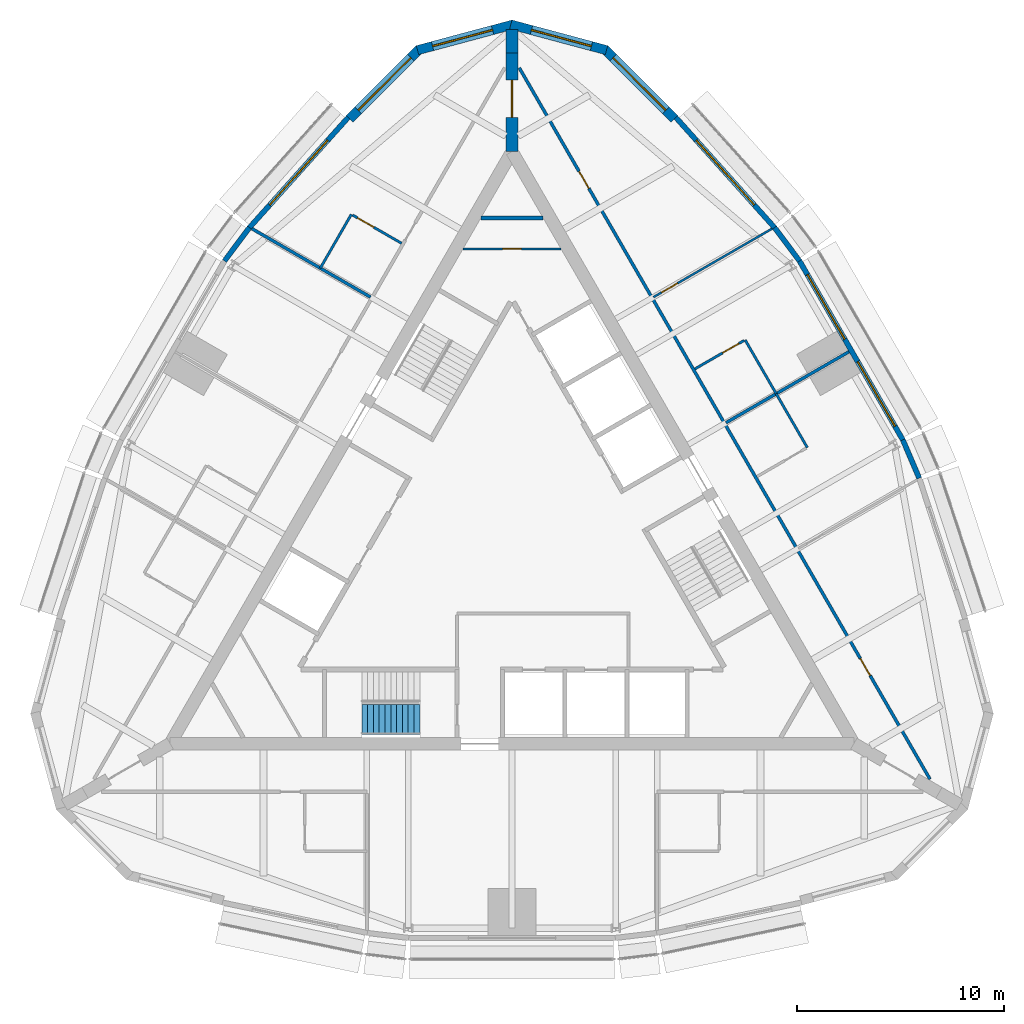
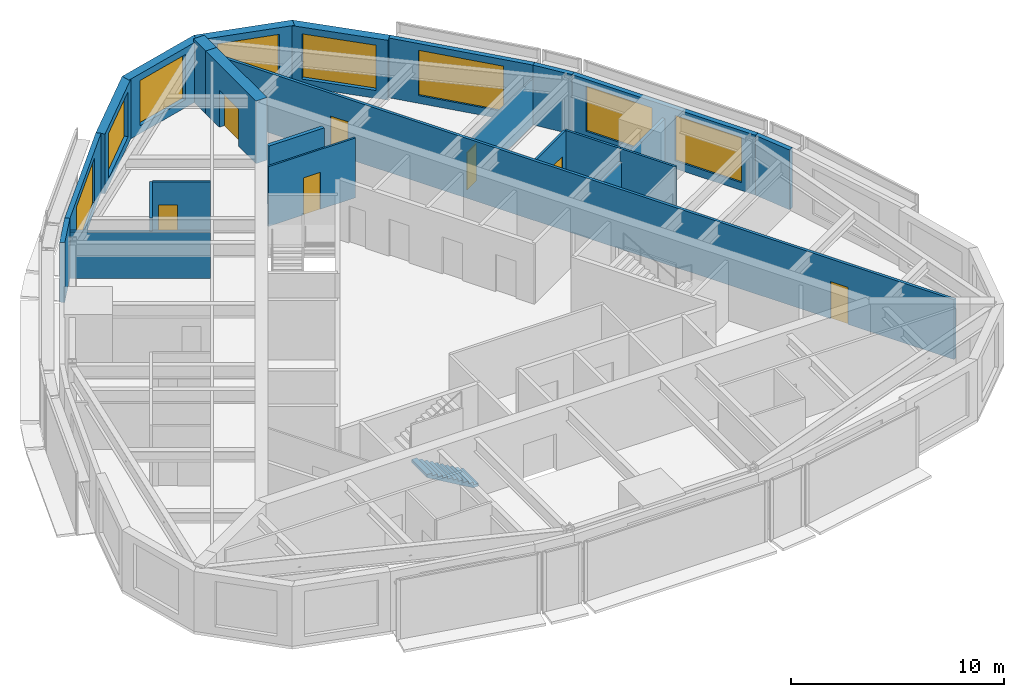
# One storey, part 10 of 12: 23 walls, 8 windows, 7 doors, 1 stair flight, 15 openings, 1 element without a shape of its own.
"""IFC4 building model written with IfcOpenShell, lengths in metres."""

from ifc_helpers import new_model, si_unit, direction, frame, frame_2d, origin, place, context, subcontext, project, spatial, polyline, rectangle, outline, extrude, material, layer, layer_set, type_object, element, fill, aggregate, save


model = new_model("IFC4")

# Units and contexts
model_context = context("Model", 3, precision=1e-05, world=origin(), true_north=direction((0.0, 1.0)))
body_context = subcontext(model_context, "Body", "Model", "MODEL_VIEW")
ifc_project = project(units=[si_unit("LENGTHUNIT", "METRE"), si_unit("AREAUNIT", "SQUARE_METRE"), si_unit("VOLUMEUNIT", "CUBIC_METRE"), si_unit("PLANEANGLEUNIT", "RADIAN"), si_unit("MASSUNIT", "GRAM", prefix="KILO")], contexts=[model_context])

# Site, building, storey
site_placement = place(None, origin())
site = spatial("IfcSite", under=ifc_project, at=site_placement, CompositionType="ELEMENT")
building_placement = place(site_placement, origin())
building = spatial("IfcBuilding", under=site, at=building_placement, Name="Trikona Tower", CompositionType="ELEMENT")
storey_placement = place(building_placement, frame((0.0, 0.0, 253.699951171875)))
storey = spatial("IfcBuildingStorey", under=building, at=storey_placement, Name="L67", CompositionType="ELEMENT", Elevation=253.699951171875)

# Walls
ifc_material_1 = material(Name="Metal stud and cement board", Category="gypsum")
ifc_layer_1 = layer(ifc_material_1, 0.1201171875)
ifc_layer_set_1 = layer_set([ifc_layer_1], Name="Bathroom wall 120")
wall_type_1 = type_object("IfcWallType", Name="Bathroom wall 120", PredefinedType="PLUMBINGWALL", material=ifc_layer_set_1)
wall_1_placement = place(storey_placement, frame((14.25341796875, 4.76513671875, 0.0), z_axis=(0.0, 0.0, 1.0), x_axis=(-0.50002537861, 0.866010750942, 0.0)))
element("IfcWall", 1, at=wall_1_placement, inside=storey, type_object=wall_type_1, Name="Bathroom wall 6703.1", PredefinedType="PLUMBINGWALL", context=body_context, shape_type="SweptSolid", body=[
    extrude(rectangle(XDim=2.999755859375, YDim=0.1201171875, at=frame_2d((1.5, 0.0))), origin(), (0.0, 0.0, 1.0), 3.43505859375),
])
wall_2_placement = place(storey_placement, frame((12.75341796875, 7.363037109375, 0.0), z_axis=(0.0, 0.0, 1.0), x_axis=(-0.499990139034, 0.866031096941, 0.0)))
element("IfcWall", 2, at=wall_2_placement, inside=storey, type_object=wall_type_1, Name="Bathroom wall 6704.1", PredefinedType="PLUMBINGWALL", context=body_context, shape_type="SweptSolid", body=[
    extrude(rectangle(XDim=3.0, YDim=0.1201171875, at=frame_2d((1.5, 0.0))), origin(), (0.0, 0.0, 1.0), 3.43505859375),
])

# Wall, opening, door
wall_3_placement = place(storey_placement, frame((8.82861328125, 8.561279296875, 0.0), z_axis=(0.0, 0.0, 1.0), x_axis=(0.866035715982, 0.499982138324, 0.0)))
wall_3 = element("IfcWall", 3, at=wall_3_placement, inside=storey, type_object=wall_type_1, Name="Bathroom wall 6704.1", PredefinedType="PLUMBINGWALL", context=body_context, shape_type="SweptSolid", body=[
    extrude(rectangle(XDim=2.73974609375, YDim=0.1201171875, at=frame_2d((1.369873046875, 0.0))), origin(), (0.0, 0.0, 1.0), 3.43505859375),
])
opening_1_placement = place(wall_3_placement, frame((1.550048828125, 0.0, 0.0)))
opening_1 = element("IfcOpeningElement", 4, at=opening_1_placement, cuts=wall_3, Name="Opening D2", PredefinedType="OPENING", context=body_context, shape_type="SweptSolid", body=[
    extrude(rectangle(XDim=0.89990234375, YDim=2.1298828125, at=frame_2d((0.449951171875, 1.06494140625))), frame((0.0, 0.070068359375, 0.0), z_axis=(0.0, -1.0, 0.0), x_axis=(1.0, 0.0, 0.0)), (0.0, 0.0, 1.0), 0.14013671875),
])
ifc_material_2 = material(Name="Steel door frame with solid-core timber leaf", Category="steel")
door_type_1 = type_object("IfcDoorType", Name="Bathroom door 900x2130", OperationType="SLIDING_TO_LEFT", PredefinedType="DOOR", material=ifc_material_2)
door_1_placement = place(opening_1_placement, origin())
door_1 = element("IfcDoor", 5, at=door_1_placement, inside=storey, type_object=door_type_1, Name="Bathroom door 6704.1", OperationType="SLIDING_TO_LEFT", OverallHeight=2.1298828125, OverallWidth=0.89990234375, PredefinedType="DOOR", context=body_context, shape_type="SweptSolid", body=[
    extrude(rectangle(XDim=0.89990234375, YDim=2.1298828125, at=frame_2d((0.449951171875, 1.06494140625))), frame((0.0, 0.02490234375, 0.0), z_axis=(0.0, -1.0, 0.0), x_axis=(1.0, 0.0, 0.0)), (0.0, 0.0, 1.0), 0.050048828125),
])
fill(opening_1, door_1)

# Wall
wall_4_placement = place(storey_placement, frame((-7.75341796875, 16.0234375, 0.0), z_axis=(0.0, 0.0, 1.0), x_axis=(-0.499990139034, -0.866031096941, 0.0)))
element("IfcWall", 6, at=wall_4_placement, inside=storey, type_object=wall_type_1, Name="Bathroom wall 6705", PredefinedType="PLUMBINGWALL", context=body_context, shape_type="SweptSolid", body=[
    extrude(rectangle(XDim=3.0, YDim=0.1201171875, at=frame_2d((1.5, 0.0))), origin(), (0.0, 0.0, 1.0), 3.43505859375),
])

# Wall, opening, door
wall_5_placement = place(storey_placement, frame((-5.32861328125, 14.623291015625, 0.0), z_axis=(0.0, 0.0, 1.0), x_axis=(-0.865997131366, 0.500048966069, 0.0)))
wall_5 = element("IfcWall", 7, at=wall_5_placement, inside=storey, type_object=wall_type_1, Name="Bathroom wall 6705", PredefinedType="PLUMBINGWALL", context=body_context, shape_type="SweptSolid", body=[
    extrude(rectangle(XDim=2.739990234375, YDim=0.1201171875, at=frame_2d((1.3701171875, 0.0))), origin(), (0.0, 0.0, 1.0), 3.43505859375),
])
opening_2_placement = place(wall_5_placement, frame((1.550048828125, 0.0, 0.0)))
opening_2 = element("IfcOpeningElement", 8, at=opening_2_placement, cuts=wall_5, Name="Opening D2", PredefinedType="OPENING", context=body_context, shape_type="SweptSolid", body=[
    extrude(rectangle(XDim=0.89990234375, YDim=2.1298828125, at=frame_2d((0.449951171875, 1.06494140625))), frame((0.0, 0.070068359375, 0.0), z_axis=(0.0, -1.0, 0.0), x_axis=(1.0, 0.0, 0.0)), (0.0, 0.0, 1.0), 0.14013671875),
])
door_2_placement = place(opening_2_placement, origin())
door_2 = element("IfcDoor", 9, at=door_2_placement, inside=storey, type_object=door_type_1, Name="Bathroom door 6705", OperationType="SLIDING_TO_LEFT", OverallHeight=2.1298828125, OverallWidth=0.89990234375, PredefinedType="DOOR", context=body_context, shape_type="SweptSolid", body=[
    extrude(rectangle(XDim=0.89990234375, YDim=2.1298828125, at=frame_2d((0.449951171875, 1.06494140625))), frame((0.0, 0.02490234375, 0.0), z_axis=(0.0, -1.0, 0.0), x_axis=(1.0, 0.0, 0.0)), (0.0, 0.0, 1.0), 0.050048828125),
])
fill(opening_2, door_2)

# Wall, opening, window
ifc_material_3 = material(Name="Brick-faced precast concrete", Category="masonry")
ifc_layer_2 = layer(ifc_material_3, 0.449951171875)
ifc_layer_set_2 = layer_set([ifc_layer_2], Name="Brick-faced corner wall 450")
wall_type_2 = type_object("IfcWallType", Name="Brick-faced corner wall 450", PredefinedType="SOLIDWALL", material=ifc_layer_set_2)
wall_6_placement = place(storey_placement, frame((7.8408203125, 20.62548828125, 0.0), z_axis=(0.0, 0.0, 1.0), x_axis=(-0.707106781187, 0.707106781187, 0.0)))
wall_6 = element("IfcWall", 10, at=wall_6_placement, inside=storey, type_object=wall_type_2, Name="External wall L67-14", PredefinedType="SOLIDWALL", context=body_context, shape_type="SweptSolid", body=[
    extrude(rectangle(XDim=4.781494140625, YDim=0.449951171875, at=frame_2d((2.390625, 0.0))), origin(), (0.0, 0.0, 1.0), 3.43505859375),
])
opening_3_placement = place(wall_6_placement, frame((0.5908203125, 0.0, 0.449951171875)))
opening_3 = element("IfcOpeningElement", 11, at=opening_3_placement, cuts=wall_6, Name="Opening W3626", PredefinedType="OPENING", context=body_context, shape_type="SweptSolid", body=[
    extrude(rectangle(XDim=3.60009765625, YDim=2.60009765625, at=frame_2d((1.800048828125, 1.300048828125))), frame((0.0, 0.23486328125, 0.0), z_axis=(0.0, -1.0, 0.0), x_axis=(1.0, 0.0, 0.0)), (0.0, 0.0, 1.0), 0.469970703125),
])
ifc_material_4 = material(Name="Aluminium-framed double glazing", Category="aluminium")
window_type_1 = type_object("IfcWindowType", Name="Window 3600x2600", PartitioningType="SINGLE_PANEL", PredefinedType="WINDOW", material=ifc_material_4)
window_1_placement = place(opening_3_placement, origin())
window_1 = element("IfcWindow", 12, at=window_1_placement, inside=storey, type_object=window_type_1, Name="Window 6704", OverallHeight=2.60009765625, OverallWidth=3.60009765625, PartitioningType="SINGLE_PANEL", PredefinedType="WINDOW", context=body_context, shape_type="SweptSolid", body=[
    extrude(rectangle(XDim=3.60009765625, YDim=2.60009765625, at=frame_2d((1.800048828125, 1.300048828125))), frame((0.0, 0.030029296875, 0.0), z_axis=(0.0, -1.0, 0.0), x_axis=(1.0, 0.0, 0.0)), (0.0, 0.0, 1.0), 0.06005859375),
])
fill(opening_3, window_1)

wall_7_placement = place(storey_placement, frame((4.560546875, 23.948486328125, 0.0), z_axis=(0.0, 0.0, 1.0), x_axis=(-0.965926628191, 0.258816052347, 0.0)))
wall_7 = element("IfcWall", 13, at=wall_7_placement, inside=storey, type_object=wall_type_2, Name="External wall L67-15", PredefinedType="SOLIDWALL", context=body_context, shape_type="SweptSolid", body=[
    extrude(outline(polyline([(4.781494140625, 0.22509765625), (4.722412109375, 0.22509765625), (4.37548828125, 0.132080078125), (4.3505859375, 0.22509765625), (0.0, 0.22509765625), (0.0, -0.22509765625), (4.781494140625, -0.22509765625), (4.781494140625, 0.22509765625)])), origin(), (0.0, 0.0, 1.0), 3.43505859375),
])
opening_4_placement = place(wall_7_placement, frame((0.750244140625, 0.0, 0.449951171875)))
opening_4 = element("IfcOpeningElement", 14, at=opening_4_placement, cuts=wall_7, Name="Opening W3026", PredefinedType="OPENING", context=body_context, shape_type="SweptSolid", body=[
    extrude(rectangle(XDim=3.0, YDim=2.60009765625, at=frame_2d((1.5, 1.300048828125))), frame((0.0, 0.23486328125, 0.0), z_axis=(0.0, -1.0, 0.0), x_axis=(1.0, 0.0, 0.0)), (0.0, 0.0, 1.0), 0.469970703125),
])
ifc_material_5 = material(Name="Aluminium-framed double glazing", Category="aluminium")
window_type_2 = type_object("IfcWindowType", Name="Window 3000x2600", PartitioningType="SINGLE_PANEL", PredefinedType="WINDOW", material=ifc_material_5)
window_2_placement = place(opening_4_placement, origin())
window_2 = element("IfcWindow", 15, at=window_2_placement, inside=storey, type_object=window_type_2, Name="Window 6704", OverallHeight=2.60009765625, OverallWidth=3.0, PartitioningType="SINGLE_PANEL", PredefinedType="WINDOW", context=body_context, shape_type="SweptSolid", body=[
    extrude(rectangle(XDim=3.0, YDim=2.60009765625, at=frame_2d((1.5, 1.300048828125))), frame((0.0, 0.030029296875, 0.0), z_axis=(0.0, -1.0, 0.0), x_axis=(1.0, 0.0, 0.0)), (0.0, 0.0, 1.0), 0.06005859375),
])
fill(opening_4, window_2)

wall_8_placement = place(storey_placement, frame((0.05810546875, 25.18603515625, 0.0), z_axis=(0.0, 0.0, 1.0), x_axis=(-0.965926628191, -0.258816052347, 0.0)))
wall_8 = element("IfcWall", 16, at=wall_8_placement, inside=storey, type_object=wall_type_2, Name="External wall L67-16", PredefinedType="SOLIDWALL", context=body_context, shape_type="SweptSolid", body=[
    extrude(outline(polyline([(4.781494140625, 0.22509765625), (0.430908203125, 0.22509765625), (0.406005859375, 0.132080078125), (0.059326171875, 0.22509765625), (0.0, 0.22509765625), (0.0, -0.22509765625), (4.781494140625, -0.22509765625), (4.781494140625, 0.22509765625)])), origin(), (0.0, 0.0, 1.0), 3.43505859375),
])
opening_5_placement = place(wall_8_placement, frame((1.031494140625, 0.0, 0.449951171875)))
opening_5 = element("IfcOpeningElement", 17, at=opening_5_placement, cuts=wall_8, Name="Opening W3026", PredefinedType="OPENING", context=body_context, shape_type="SweptSolid", body=[
    extrude(rectangle(XDim=3.0, YDim=2.60009765625, at=frame_2d((1.5, 1.300048828125))), frame((0.0, 0.23486328125, 0.0), z_axis=(0.0, -1.0, 0.0), x_axis=(1.0, 0.0, 0.0)), (0.0, 0.0, 1.0), 0.469970703125),
])
window_3_placement = place(opening_5_placement, origin())
window_3 = element("IfcWindow", 18, at=window_3_placement, inside=storey, type_object=window_type_2, Name="Window 6705", OverallHeight=2.60009765625, OverallWidth=3.0, PartitioningType="SINGLE_PANEL", PredefinedType="WINDOW", context=body_context, shape_type="SweptSolid", body=[
    extrude(rectangle(XDim=3.0, YDim=2.60009765625, at=frame_2d((1.5, 1.300048828125))), frame((0.0, 0.030029296875, 0.0), z_axis=(0.0, -1.0, 0.0), x_axis=(1.0, 0.0, 0.0)), (0.0, 0.0, 1.0), 0.06005859375),
])
fill(opening_5, window_3)

wall_9_placement = place(storey_placement, frame((-4.459716796875, 24.006591796875, 0.0), z_axis=(0.0, 0.0, 1.0), x_axis=(-0.707106781187, -0.707106781187, 0.0)))
wall_9 = element("IfcWall", 19, at=wall_9_placement, inside=storey, type_object=wall_type_2, Name="External wall L67-17", PredefinedType="SOLIDWALL", context=body_context, shape_type="SweptSolid", body=[
    extrude(rectangle(XDim=4.781494140625, YDim=0.449951171875, at=frame_2d((2.390625, 0.0))), origin(), (0.0, 0.0, 1.0), 3.43505859375),
])
opening_6_placement = place(wall_9_placement, frame((0.5908203125, 0.0, 0.449951171875)))
opening_6 = element("IfcOpeningElement", 20, at=opening_6_placement, cuts=wall_9, Name="Opening W3626", PredefinedType="OPENING", context=body_context, shape_type="SweptSolid", body=[
    extrude(rectangle(XDim=3.60009765625, YDim=2.60009765625, at=frame_2d((1.800048828125, 1.300048828125))), frame((0.0, 0.23486328125, 0.0), z_axis=(0.0, -1.0, 0.0), x_axis=(1.0, 0.0, 0.0)), (0.0, 0.0, 1.0), 0.469970703125),
])
window_4_placement = place(opening_6_placement, origin())
window_4 = element("IfcWindow", 21, at=window_4_placement, inside=storey, type_object=window_type_1, Name="Window 6705", OverallHeight=2.60009765625, OverallWidth=3.60009765625, PartitioningType="SINGLE_PANEL", PredefinedType="WINDOW", context=body_context, shape_type="SweptSolid", body=[
    extrude(rectangle(XDim=3.60009765625, YDim=2.60009765625, at=frame_2d((1.800048828125, 1.300048828125))), frame((0.0, 0.030029296875, 0.0), z_axis=(0.0, -1.0, 0.0), x_axis=(1.0, 0.0, 0.0)), (0.0, 0.0, 1.0), 0.06005859375),
])
fill(opening_6, window_4)

# Wall, opening, door
ifc_material_6 = material(Name="Concrete f'c 10000 psi", Category="concrete")
ifc_layer_3 = layer(ifc_material_6, 0.60009765625)
ifc_layer_set_3 = layer_set([ifc_layer_3], Name="Buttress wall 600")
wall_type_3 = type_object("IfcWallType", Name="Buttress wall 600", PredefinedType="SHEAR", material=ifc_layer_set_3)
wall_10_placement = place(storey_placement, frame((0.0, 19.052490234375, 0.0), z_axis=(0.0, 0.0, 1.0), x_axis=(0.0, 1.0, 0.0)))
wall_10 = element("IfcWall", 22, at=wall_10_placement, inside=storey, type_object=wall_type_3, Name="Buttress wall 2", PredefinedType="SHEAR", context=body_context, shape_type="SweptSolid", body=[
    extrude(rectangle(XDim=4.74609375, YDim=0.60009765625, at=frame_2d((2.373046875, 0.0))), origin(), (0.0, 0.0, 1.0), 3.60009765625),
])
opening_7_placement = place(wall_10_placement, frame((1.64990234375, 0.0, 0.0)))
opening_7 = element("IfcOpeningElement", 23, at=opening_7_placement, cuts=wall_10, Name="Opening D10", PredefinedType="OPENING", context=body_context, shape_type="SweptSolid", body=[
    extrude(rectangle(XDim=1.800048828125, YDim=2.1298828125, at=frame_2d((0.89990234375, 1.06494140625))), frame((0.0, 0.31005859375, 0.0), z_axis=(0.0, -1.0, 0.0), x_axis=(1.0, 0.0, 0.0)), (0.0, 0.0, 1.0), 0.6201171875),
])
ifc_material_7 = material(Name="Hollow metal door and frame", Category="steel")
door_type_2 = type_object("IfcDoorType", Name="Cross-corridor door pair 1800x2130", OperationType="DOUBLE_DOOR_DOUBLE_SWING", PredefinedType="DOOR", material=ifc_material_7)
door_3_placement = place(opening_7_placement, origin())
door_3 = element("IfcDoor", 24, at=door_3_placement, inside=storey, type_object=door_type_2, Name="Cross-corridor door 2", OperationType="DOUBLE_DOOR_DOUBLE_SWING", OverallHeight=2.1298828125, OverallWidth=1.800048828125, PredefinedType="DOOR", context=body_context, shape_type="SweptSolid", body=[
    extrude(rectangle(XDim=1.800048828125, YDim=2.1298828125, at=frame_2d((0.89990234375, 1.06494140625))), frame((0.0, 0.02490234375, 0.0), z_axis=(0.0, -1.0, 0.0), x_axis=(1.0, 0.0, 0.0)), (0.0, 0.0, 1.0), 0.050048828125),
])
fill(opening_7, door_3)

# Wall
wall_11_placement = place(storey_placement, frame((0.0, 23.798583984375, 0.0), z_axis=(0.0, 0.0, 1.0), x_axis=(0.0, 1.0, 0.0)))
element("IfcWall", 25, at=wall_11_placement, inside=storey, type_object=wall_type_3, Name="Buttress wall 2 part 2", PredefinedType="SHEAR", context=body_context, shape_type="SweptSolid", body=[
    extrude(rectangle(XDim=1.15478515625, YDim=0.60009765625, at=frame_2d((0.577392578125, 0.0))), origin(), (0.0, 0.0, 1.0), 3.60009765625),
])

# Wall, openings, doors
ifc_material_8 = material(Name="Metal stud and gypsum board, 1-hour", Category="gypsum")
ifc_layer_4 = layer(ifc_material_8, 0.14990234375)
ifc_layer_set_4 = layer_set([ifc_layer_4], Name="Corridor wall 150")
wall_type_4 = type_object("IfcWallType", Name="Corridor wall 150", PredefinedType="PARTITIONING", material=ifc_layer_set_4)
wall_12_placement = place(storey_placement, frame((20.177001953125, -11.2451171875, 0.0), z_axis=(0.0, 0.0, 1.0), x_axis=(-0.499998875317, 0.866026053119, 0.0)))
wall_12 = element("IfcWall", 26, at=wall_12_placement, inside=storey, type_object=wall_type_4, Name="Corridor wall L67-2", PredefinedType="PARTITIONING", context=body_context, shape_type="SweptSolid", body=[
    extrude(rectangle(XDim=39.65380859375, YDim=0.14990234375, at=frame_2d((19.826904296875, 0.0))), origin(), (0.0, 0.0, 1.0), 3.43505859375),
])
opening_8_placement = place(wall_12_placement, frame((5.771728515625, 0.0, 0.0)))
opening_8 = element("IfcOpeningElement", 27, at=opening_8_placement, cuts=wall_12, Name="Opening D1", PredefinedType="OPENING", context=body_context, shape_type="SweptSolid", body=[
    extrude(rectangle(XDim=0.949951171875, YDim=2.1298828125, at=frame_2d((0.47509765625, 1.06494140625))), frame((0.0, 0.0849609375, 0.0), z_axis=(0.0, -1.0, 0.0), x_axis=(1.0, 0.0, 0.0)), (0.0, 0.0, 1.0), 0.169921875),
])
opening_9_placement = place(wall_12_placement, frame((32.932373046875, 0.0, 0.0)))
opening_9 = element("IfcOpeningElement", 28, at=opening_9_placement, cuts=wall_12, Name="Opening D1", PredefinedType="OPENING", context=body_context, shape_type="SweptSolid", body=[
    extrude(rectangle(XDim=0.949951171875, YDim=2.1298828125, at=frame_2d((0.47509765625, 1.06494140625))), frame((0.0, 0.0849609375, 0.0), z_axis=(0.0, -1.0, 0.0), x_axis=(1.0, 0.0, 0.0)), (0.0, 0.0, 1.0), 0.169921875),
])
ifc_material_9 = material(Name="Steel door frame with solid-core timber leaf", Category="steel")
door_type_3 = type_object("IfcDoorType", Name="Guest room door 950x2130", OperationType="SINGLE_SWING_LEFT", PredefinedType="DOOR", material=ifc_material_9)
door_4_placement = place(opening_8_placement, origin())
door_4 = element("IfcDoor", 29, at=door_4_placement, inside=storey, type_object=door_type_3, Name="Room door 6703", OperationType="SINGLE_SWING_LEFT", OverallHeight=2.1298828125, OverallWidth=0.949951171875, PredefinedType="DOOR", context=body_context, shape_type="SweptSolid", body=[
    extrude(rectangle(XDim=0.949951171875, YDim=2.1298828125, at=frame_2d((0.47509765625, 1.06494140625))), frame((0.0, 0.02490234375, 0.0), z_axis=(0.0, -1.0, 0.0), x_axis=(1.0, 0.0, 0.0)), (0.0, 0.0, 1.0), 0.050048828125),
])
fill(opening_8, door_4)
door_5_placement = place(opening_9_placement, origin())
door_5 = element("IfcDoor", 30, at=door_5_placement, inside=storey, type_object=door_type_3, Name="Room door 6704", OperationType="SINGLE_SWING_RIGHT", OverallHeight=2.1298828125, OverallWidth=0.949951171875, PredefinedType="DOOR", context=body_context, shape_type="SweptSolid", body=[
    extrude(rectangle(XDim=0.949951171875, YDim=2.1298828125, at=frame_2d((0.47509765625, 1.06494140625))), frame((0.0, 0.02490234375, 0.0), z_axis=(0.0, -1.0, 0.0), x_axis=(1.0, 0.0, 0.0)), (0.0, 0.0, 1.0), 0.050048828125),
])
fill(opening_9, door_5)

# Wall
ifc_material_10 = material(Name="Insulated precast concrete spandrel panel", Category="concrete")
ifc_layer_5 = layer(ifc_material_10, 0.25)
ifc_layer_set_5 = layer_set([ifc_layer_5], Name="Inner skin wall 250")
wall_type_5 = type_object("IfcWallType", Name="Inner skin wall 250", PredefinedType="STANDARD", material=ifc_layer_set_5)
wall_13_placement = place(storey_placement, frame((19.658203125, 3.283935546875, 0.0), z_axis=(0.0, 0.0, 1.0), x_axis=(-0.393290226175, 0.91941437774, 0.0)))
element("IfcWall", 31, at=wall_13_placement, inside=storey, type_object=wall_type_5, Name="External wall L67-10", PredefinedType="STANDARD", context=body_context, shape_type="SweptSolid", body=[
    extrude(rectangle(XDim=2.014404296875, YDim=0.25, at=frame_2d((1.00732421875, 0.0))), origin(), (0.0, 0.0, 1.0), 3.43505859375),
])

# Wall, openings, windows
wall_14_placement = place(storey_placement, frame((18.87255859375, 5.12255859375, 0.0), z_axis=(0.0, 0.0, 1.0), x_axis=(-0.499993662806, 0.866029062534, 0.0)))
wall_14 = element("IfcWall", 32, at=wall_14_placement, inside=storey, type_object=wall_type_5, Name="External wall L67-11", PredefinedType="STANDARD", context=body_context, shape_type="SweptSolid", body=[
    extrude(rectangle(XDim=10.000244140625, YDim=0.25, at=frame_2d((5.0, 0.0))), origin(), (0.0, 0.0, 1.0), 3.43505859375),
])
opening_10_placement = place(wall_14_placement, frame((0.77490234375, 0.0, 0.449951171875)))
opening_10 = element("IfcOpeningElement", 33, at=opening_10_placement, cuts=wall_14, Name="Opening W3626", PredefinedType="OPENING", context=body_context, shape_type="SweptSolid", body=[
    extrude(rectangle(XDim=3.60009765625, YDim=2.60009765625, at=frame_2d((1.800048828125, 1.300048828125))), frame((0.0, 0.135009765625, 0.0), z_axis=(0.0, -1.0, 0.0), x_axis=(1.0, 0.0, 0.0)), (0.0, 0.0, 1.0), 0.27001953125),
])
opening_11_placement = place(wall_14_placement, frame((5.625, 0.0, 0.449951171875)))
opening_11 = element("IfcOpeningElement", 34, at=opening_11_placement, cuts=wall_14, Name="Opening W3626", PredefinedType="OPENING", context=body_context, shape_type="SweptSolid", body=[
    extrude(rectangle(XDim=3.60009765625, YDim=2.60009765625, at=frame_2d((1.800048828125, 1.300048828125))), frame((0.0, 0.135009765625, 0.0), z_axis=(0.0, -1.0, 0.0), x_axis=(1.0, 0.0, 0.0)), (0.0, 0.0, 1.0), 0.27001953125),
])
window_5_placement = place(opening_10_placement, origin())
window_5 = element("IfcWindow", 35, at=window_5_placement, inside=storey, type_object=window_type_1, Name="Window 6703.1", OverallHeight=2.60009765625, OverallWidth=3.60009765625, PartitioningType="SINGLE_PANEL", PredefinedType="WINDOW", context=body_context, shape_type="SweptSolid", body=[
    extrude(rectangle(XDim=3.60009765625, YDim=2.60009765625, at=frame_2d((1.800048828125, 1.300048828125))), frame((0.0, 0.030029296875, 0.0), z_axis=(0.0, -1.0, 0.0), x_axis=(1.0, 0.0, 0.0)), (0.0, 0.0, 1.0), 0.06005859375),
])
fill(opening_10, window_5)
window_6_placement = place(opening_11_placement, origin())
window_6 = element("IfcWindow", 36, at=window_6_placement, inside=storey, type_object=window_type_1, Name="Window 6704.1", OverallHeight=2.60009765625, OverallWidth=3.60009765625, PartitioningType="SINGLE_PANEL", PredefinedType="WINDOW", context=body_context, shape_type="SweptSolid", body=[
    extrude(rectangle(XDim=3.60009765625, YDim=2.60009765625, at=frame_2d((1.800048828125, 1.300048828125))), frame((0.0, 0.030029296875, 0.0), z_axis=(0.0, -1.0, 0.0), x_axis=(1.0, 0.0, 0.0)), (0.0, 0.0, 1.0), 0.06005859375),
])
fill(opening_11, window_6)

# Wall
wall_15_placement = place(storey_placement, frame((13.880859375, 13.7705078125, 0.0), z_axis=(0.0, 0.0, 1.0), x_axis=(-0.599650843534, 0.800261748335, 0.0)))
element("IfcWall", 37, at=wall_15_placement, inside=storey, type_object=wall_type_5, Name="External wall L67-12", PredefinedType="STANDARD", context=body_context, shape_type="SweptSolid", body=[
    extrude(rectangle(XDim=2.01416015625, YDim=0.25, at=frame_2d((1.007080078125, 0.0))), origin(), (0.0, 0.0, 1.0), 3.43505859375),
])

# Wall, opening, window
wall_16_placement = place(storey_placement, frame((12.679931640625, 15.3740234375, 0.0), z_axis=(0.0, 0.0, 1.0), x_axis=(-0.667303550892, 0.744785855778, 0.0)))
wall_16 = element("IfcWall", 38, at=wall_16_placement, inside=storey, type_object=wall_type_5, Name="External wall L67-13", PredefinedType="STANDARD", context=body_context, shape_type="SweptSolid", body=[
    extrude(rectangle(XDim=7.152587890625, YDim=0.25, at=frame_2d((3.576171875, 0.0))), origin(), (0.0, 0.0, 1.0), 3.43505859375),
])
opening_12_placement = place(wall_16_placement, frame((1.476318359375, 0.0, 0.449951171875)))
opening_12 = element("IfcOpeningElement", 39, at=opening_12_placement, cuts=wall_16, Name="Opening W4226", PredefinedType="OPENING", context=body_context, shape_type="SweptSolid", body=[
    extrude(rectangle(XDim=4.199951171875, YDim=2.60009765625, at=frame_2d((2.10009765625, 1.300048828125))), frame((0.0, 0.135009765625, 0.0), z_axis=(0.0, -1.0, 0.0), x_axis=(1.0, 0.0, 0.0)), (0.0, 0.0, 1.0), 0.27001953125),
])
ifc_material_11 = material(Name="Aluminium-framed double glazing", Category="aluminium")
window_type_3 = type_object("IfcWindowType", Name="Window 4200x2600", PartitioningType="SINGLE_PANEL", PredefinedType="WINDOW", material=ifc_material_11)
window_7_placement = place(opening_12_placement, origin())
window_7 = element("IfcWindow", 40, at=window_7_placement, inside=storey, type_object=window_type_3, Name="Window 6704", OverallHeight=2.60009765625, OverallWidth=4.199951171875, PartitioningType="SINGLE_PANEL", PredefinedType="WINDOW", context=body_context, shape_type="SweptSolid", body=[
    extrude(rectangle(XDim=4.199951171875, YDim=2.60009765625, at=frame_2d((2.10009765625, 1.300048828125))), frame((0.0, 0.030029296875, 0.0), z_axis=(0.0, -1.0, 0.0), x_axis=(1.0, 0.0, 0.0)), (0.0, 0.0, 1.0), 0.06005859375),
])
fill(opening_12, window_7)

wall_17_placement = place(storey_placement, frame((-7.906982421875, 20.701171875, 0.0), z_axis=(0.0, 0.0, 1.0), x_axis=(-0.667303550892, -0.744785855778, 0.0)))
wall_17 = element("IfcWall", 41, at=wall_17_placement, inside=storey, type_object=wall_type_5, Name="External wall L67-18", PredefinedType="STANDARD", context=body_context, shape_type="SweptSolid", body=[
    extrude(rectangle(XDim=7.152587890625, YDim=0.25, at=frame_2d((3.576171875, 0.0))), origin(), (0.0, 0.0, 1.0), 3.43505859375),
])
opening_13_placement = place(wall_17_placement, frame((1.476318359375, 0.0, 0.449951171875)))
opening_13 = element("IfcOpeningElement", 42, at=opening_13_placement, cuts=wall_17, Name="Opening W4226", PredefinedType="OPENING", context=body_context, shape_type="SweptSolid", body=[
    extrude(rectangle(XDim=4.199951171875, YDim=2.60009765625, at=frame_2d((2.10009765625, 1.300048828125))), frame((0.0, 0.135009765625, 0.0), z_axis=(0.0, -1.0, 0.0), x_axis=(1.0, 0.0, 0.0)), (0.0, 0.0, 1.0), 0.27001953125),
])
window_8_placement = place(opening_13_placement, origin())
window_8 = element("IfcWindow", 43, at=window_8_placement, inside=storey, type_object=window_type_3, Name="Window 6705", OverallHeight=2.60009765625, OverallWidth=4.199951171875, PartitioningType="SINGLE_PANEL", PredefinedType="WINDOW", context=body_context, shape_type="SweptSolid", body=[
    extrude(rectangle(XDim=4.199951171875, YDim=2.60009765625, at=frame_2d((2.10009765625, 1.300048828125))), frame((0.0, 0.030029296875, 0.0), z_axis=(0.0, -1.0, 0.0), x_axis=(1.0, 0.0, 0.0)), (0.0, 0.0, 1.0), 0.06005859375),
])
fill(opening_13, window_8)

# Walls
wall_18_placement = place(storey_placement, frame((-12.673095703125, 15.38232421875, 0.0), z_axis=(0.0, 0.0, 1.0), x_axis=(-0.599650843534, -0.800261748335, 0.0)))
element("IfcWall", 44, at=wall_18_placement, inside=storey, type_object=wall_type_5, Name="External wall L67-19", PredefinedType="STANDARD", context=body_context, shape_type="SweptSolid", body=[
    extrude(rectangle(XDim=2.01416015625, YDim=0.25, at=frame_2d((1.007080078125, 0.0))), origin(), (0.0, 0.0, 1.0), 3.43505859375),
])
ifc_material_12 = material(Name="Metal stud and gypsum board, 1-hour acoustic", Category="gypsum")
ifc_layer_6 = layer(ifc_material_12, 0.14990234375)
ifc_layer_set_6 = layer_set([ifc_layer_6], Name="Party wall 150")
wall_type_6 = type_object("IfcWallType", Name="Party wall 150", PredefinedType="PARTITIONING", material=ifc_layer_set_6)
wall_19_placement = place(storey_placement, frame((10.32861328125, 5.963134765625, 0.0), z_axis=(0.0, 0.0, 1.0), x_axis=(0.866011785882, 0.500023586156, 0.0)))
element("IfcWall", 45, at=wall_19_placement, inside=storey, type_object=wall_type_6, Name="Partition L67 F2 u-1.77636e-15", PredefinedType="PARTITIONING", context=body_context, shape_type="SweptSolid", body=[
    extrude(rectangle(XDim=6.854248046875, YDim=0.14990234375, at=frame_2d((3.42724609375, 0.0))), origin(), (0.0, 0.0, 1.0), 2.677978515625),
])
wall_20_placement = place(storey_placement, frame((-6.82861328125, 12.025390625, 0.0), z_axis=(0.0, 0.0, 1.0), x_axis=(-0.866029323189, 0.499993211332, 0.0)))
element("IfcWall", 46, at=wall_20_placement, inside=storey, type_object=wall_type_6, Name="Partition L67 F3 u-7", PredefinedType="PARTITIONING", context=body_context, shape_type="SweptSolid", body=[
    extrude(rectangle(XDim=6.6083984375, YDim=0.14990234375, at=frame_2d((3.30419921875, 0.0))), origin(), (0.0, 0.0, 1.0), 2.677978515625),
])
ifc_material_13 = material(Name="Concrete f'c 8000 psi", Category="concrete")
ifc_layer_7 = layer(ifc_material_13, 0.199951171875)
ifc_layer_set_7 = layer_set([ifc_layer_7], Name="Shaft wall 200")
wall_type_7 = type_object("IfcWallType", Name="Shaft wall 200", PredefinedType="SOLIDWALL", material=ifc_layer_set_7)
wall_21_placement = place(storey_placement, frame((-1.501220703125, 15.8525390625, 0.0), z_axis=(0.0, 0.0, 1.0), x_axis=(1.0, 0.0, 0.0)))
element("IfcWall", 47, at=wall_21_placement, inside=storey, type_object=wall_type_7, Name="Riser wall L67-RS2", PredefinedType="SOLIDWALL", context=body_context, shape_type="SweptSolid", body=[
    extrude(rectangle(XDim=3.00244140625, YDim=0.199951171875, at=frame_2d((1.501220703125, 0.0))), origin(), (0.0, 0.0, 1.0), 3.43505859375),
])

# Wall, opening, door
ifc_material_14 = material(Name="Metal stud and gypsum board, acoustic", Category="gypsum")
ifc_layer_8 = layer(ifc_material_14, 0.10009765625)
ifc_layer_set_8 = layer_set([ifc_layer_8], Name="Suite partition 100")
wall_type_8 = type_object("IfcWallType", Name="Suite partition 100", PredefinedType="PARTITIONING", material=ifc_layer_set_8)
wall_22_placement = place(storey_placement, frame((6.82861328125, 12.025390625, 0.0), z_axis=(0.0, 0.0, 1.0), x_axis=(0.866029323189, 0.499993211332, 0.0)))
wall_22 = element("IfcWall", 48, at=wall_22_placement, inside=storey, type_object=wall_type_8, Name="Suite partition L67 F2 u7", PredefinedType="PARTITIONING", context=body_context, shape_type="SweptSolid", body=[
    extrude(rectangle(XDim=6.6083984375, YDim=0.10009765625, at=frame_2d((3.30419921875, 0.0))), origin(), (0.0, 0.0, 1.0), 2.677978515625),
])
opening_14_placement = place(wall_22_placement, frame((0.449951171875, 0.0, 0.0)))
opening_14 = element("IfcOpeningElement", 49, at=opening_14_placement, cuts=wall_22, Name="Opening D13", PredefinedType="OPENING", context=body_context, shape_type="SweptSolid", body=[
    extrude(rectangle(XDim=0.89990234375, YDim=2.1298828125, at=frame_2d((0.449951171875, 1.06494140625))), frame((0.0, 0.06005859375, 0.0), z_axis=(0.0, -1.0, 0.0), x_axis=(1.0, 0.0, 0.0)), (0.0, 0.0, 1.0), 0.1201171875),
])
ifc_material_15 = material(Name="Steel door frame with solid-core timber leaf", Category="steel")
door_type_4 = type_object("IfcDoorType", Name="Suite door 900x2130", OperationType="SINGLE_SWING_LEFT", PredefinedType="DOOR", material=ifc_material_15)
door_6_placement = place(opening_14_placement, origin())
door_6 = element("IfcDoor", 50, at=door_6_placement, inside=storey, type_object=door_type_4, Name="Suite door 6704", OperationType="SINGLE_SWING_LEFT", OverallHeight=2.1298828125, OverallWidth=0.89990234375, PredefinedType="DOOR", context=body_context, shape_type="SweptSolid", body=[
    extrude(rectangle(XDim=0.89990234375, YDim=2.1298828125, at=frame_2d((0.449951171875, 1.06494140625))), frame((0.0, 0.02490234375, 0.0), z_axis=(0.0, -1.0, 0.0), x_axis=(1.0, 0.0, 0.0)), (0.0, 0.0, 1.0), 0.050048828125),
])
fill(opening_14, door_6)

wall_23_placement = place(storey_placement, frame((-2.3671875, 14.3525390625, 0.0), z_axis=(0.0, 0.0, 1.0), x_axis=(1.0, 0.0, 0.0)))
wall_23 = element("IfcWall", 51, at=wall_23_placement, inside=storey, type_object=wall_type_8, Name="Store partition L67-RS2", PredefinedType="PARTITIONING", context=body_context, shape_type="SweptSolid", body=[
    extrude(rectangle(XDim=4.734375, YDim=0.10009765625, at=frame_2d((2.3671875, 0.0))), origin(), (0.0, 0.0, 1.0), 3.43505859375),
])
opening_15_placement = place(wall_23_placement, frame((1.9169921875, 0.0, 0.0)))
opening_15 = element("IfcOpeningElement", 52, at=opening_15_placement, cuts=wall_23, Name="Opening D15", PredefinedType="OPENING", context=body_context, shape_type="SweptSolid", body=[
    extrude(rectangle(XDim=0.89990234375, YDim=2.1298828125, at=frame_2d((0.449951171875, 1.06494140625))), frame((0.0, 0.06005859375, 0.0), z_axis=(0.0, -1.0, 0.0), x_axis=(1.0, 0.0, 0.0)), (0.0, 0.0, 1.0), 0.1201171875),
])
ifc_material_16 = material(Name="Steel door frame with solid-core timber leaf", Category="steel")
door_type_5 = type_object("IfcDoorType", Name="Store door 900x2130", OperationType="SINGLE_SWING_LEFT", PredefinedType="DOOR", material=ifc_material_16)
door_7_placement = place(opening_15_placement, origin())
door_7 = element("IfcDoor", 53, at=door_7_placement, inside=storey, type_object=door_type_5, Name="Door Amenity store AMS", OperationType="SINGLE_SWING_LEFT", OverallHeight=2.1298828125, OverallWidth=0.89990234375, PredefinedType="DOOR", context=body_context, shape_type="SweptSolid", body=[
    extrude(rectangle(XDim=0.89990234375, YDim=2.1298828125, at=frame_2d((0.449951171875, 1.06494140625))), frame((0.0, 0.02490234375, 0.0), z_axis=(0.0, -1.0, 0.0), x_axis=(1.0, 0.0, 0.0)), (0.0, 0.0, 1.0), 0.050048828125),
])
fill(opening_15, door_7)

# Stair, stair flight
ifc_material_17 = material(Name="Concrete f'c 5000 psi", Category="concrete")
stair_type = type_object("IfcStairType", Name="Core stair", PredefinedType="HALF_TURN_STAIR", material=ifc_material_17)
stair_placement = place(storey_placement, origin())
stair = element("IfcStair", 54, at=stair_placement, inside=storey, type_object=stair_type, Name="Stair A L67", PredefinedType="HALF_TURN_STAIR")
ifc_material_18 = material(Name="Concrete f'c 5000 psi", Category="concrete")
stair_flight_type = type_object("IfcStairFlightType", Name="Core stair flight 1450", PredefinedType="STRAIGHT", material=ifc_material_18)
stair_flight_placement = place(storey_placement, frame((-4.449951171875, -8.351318359375, 0.0), z_axis=(0.0, 0.0, 1.0), x_axis=(-1.0, 0.0, 0.0)))
stair_flight = element("IfcStairFlight", 55, at=stair_flight_placement, type_object=stair_flight_type, Name="ST-A flight 1", NumberOfRisers=11, NumberOfTreads=10, PredefinedType="STRAIGHT", RiserHeight=0.163636, TreadLength=0.28, context=body_context, shape_type="SweptSolid", body=[
    extrude(outline(polyline([(0.0, 0.0), (0.0, 0.16357421875), (0.280029296875, 0.16357421875), (0.280029296875, 0.327392578125), (0.56005859375, 0.327392578125), (0.56005859375, 0.490966796875), (0.840087890625, 0.490966796875), (0.840087890625, 0.654541015625), (1.1201171875, 0.654541015625), (1.1201171875, 0.818115234375), (1.39990234375, 0.818115234375), (1.39990234375, 0.98193359375), (1.679931640625, 0.98193359375), (1.679931640625, 1.1455078125), (1.9599609375, 1.1455078125), (1.9599609375, 1.30908203125), (2.239990234375, 1.30908203125), (2.239990234375, 1.47265625), (2.52001953125, 1.47265625), (2.52001953125, 1.636474609375), (2.800048828125, 1.636474609375), (2.800048828125, 1.800048828125), (2.800048828125, 1.462646484375), (0.297119140625, 0.0), (0.0, 0.0)])), frame((0.0, 0.72509765625, 0.0), z_axis=(0.0, -1.0, 0.0), x_axis=(1.0, 0.0, 0.0)), (0.0, 0.0, 1.0), 1.449951171875),
])
aggregate(stair, [stair_flight])

save(model, "model.ifc")
